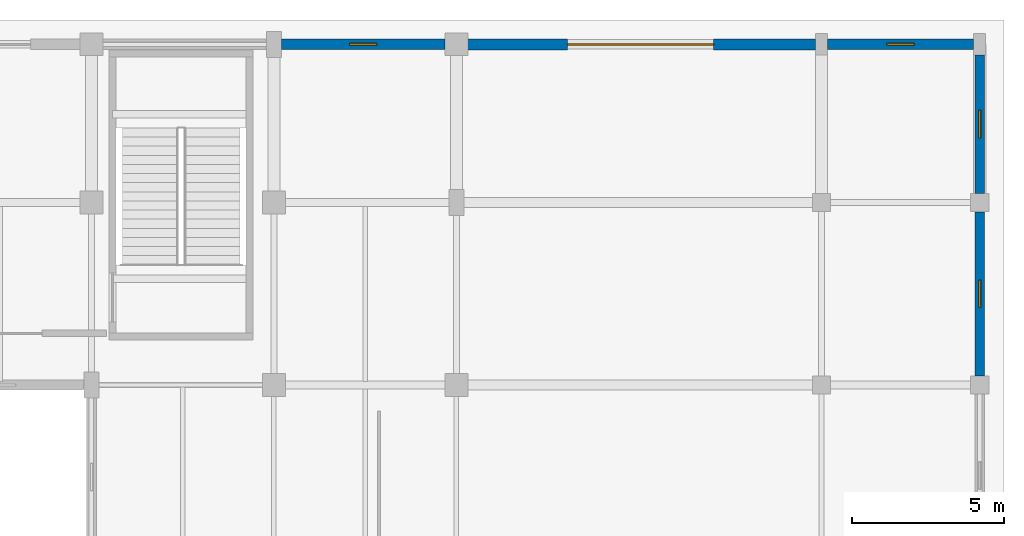
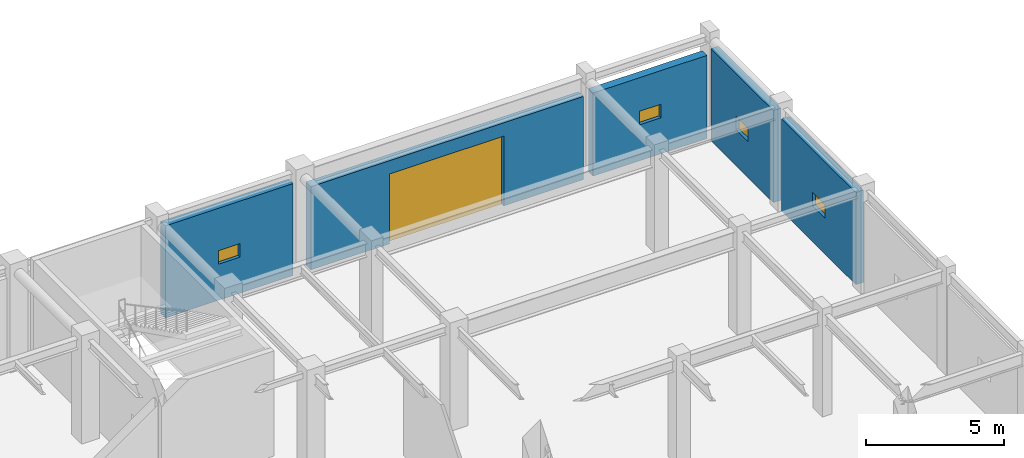
# One storey, part 53 of 76: 5 walls, 4 windows, 1 door, 5 openings.
"""IFC4 building model written with IfcOpenShell, lengths in metres."""

from ifc_helpers import new_model, si_unit, direction, frame, frame_2d, origin, place, context, subcontext, project, spatial, rectangle, extrude, material, layer, layer_set, type_object, element, fill, save


model = new_model("IFC4")

# Units and contexts
model_context = context("Model", 3, precision=1e-05, world=origin(), true_north=direction((0.0, 1.0)))
body_context = subcontext(model_context, "Body", "Model", "MODEL_VIEW")
ifc_project = project(units=[si_unit("LENGTHUNIT", "METRE"), si_unit("AREAUNIT", "SQUARE_METRE"), si_unit("VOLUMEUNIT", "CUBIC_METRE"), si_unit("PLANEANGLEUNIT", "RADIAN"), si_unit("MASSUNIT", "GRAM", prefix="KILO")], contexts=[model_context])

# Site, building, storey
site_placement = place(None, origin())
site = spatial("IfcSite", under=ifc_project, at=site_placement, CompositionType="ELEMENT")
building_placement = place(site_placement, origin())
building = spatial("IfcBuilding", under=site, at=building_placement, Name="Varnakota Square Police Headquarters", CompositionType="ELEMENT")
storey_placement = place(building_placement, origin())
storey = spatial("IfcBuildingStorey", under=building, at=storey_placement, Name="L00", CompositionType="ELEMENT", Elevation=0.0)

# Wall, opening, window
ifc_material_1 = material(Name="Precast concrete M40", Category="concrete")
ifc_layer_1 = layer(ifc_material_1, 0.320068359375, Name="Precast concrete M40")
ifc_layer_set_1 = layer_set([ifc_layer_1], Name="Precast concrete M40")
wall_type_1 = type_object("IfcWallType", Name="WL-EXT-320", PredefinedType="SOLIDWALL", material=ifc_layer_set_1)
wall_1_placement = place(storey_placement, frame((161.199951171875, 99.303955078125, 0.0), z_axis=(0.0, 0.0, 1.0), x_axis=(0.0, 1.0, 0.0)))
wall_1 = element("IfcWall", 1, at=wall_1_placement, inside=storey, type_object=wall_type_1, Name="Exterior wall EW-L00-0676", PredefinedType="SOLIDWALL", context=body_context, shape_type="SweptSolid", body=[
    extrude(rectangle(XDim=5.39208984375, YDim=0.320068359375, at=frame_2d((2.696044921875, 0.0))), origin(), (0.0, 0.0, 1.0), 4.08349609375),
])
opening_1_placement = place(wall_1_placement, frame((2.24609375, 0.0, 1.60009765625)))
opening_1 = element("IfcOpeningElement", 2, at=opening_1_placement, cuts=wall_1, Name="Opening W13", PredefinedType="OPENING", context=body_context, shape_type="SweptSolid", body=[
    extrude(rectangle(XDim=0.89990234375, YDim=0.60009765625, at=frame_2d((0.449951171875, 0.300048828125))), frame((0.0, 0.169921875, 0.0), z_axis=(0.0, -1.0, 0.0), x_axis=(1.0, 0.0, 0.0)), (0.0, 0.0, 1.0), 0.340087890625),
])
ifc_material_2 = material(Name="Thermally Broken Aluminium Double-Glazed Window", Category="aluminium")
window_type = type_object("IfcWindowType", Name="WIN-13", PartitioningType="SINGLE_PANEL", PredefinedType="WINDOW", material=ifc_material_2)
window_1_placement = place(opening_1_placement, origin())
window_1 = element("IfcWindow", 3, at=window_1_placement, inside=storey, type_object=window_type, Name="Window WN-L00-0182", OverallHeight=0.60009765625, OverallWidth=0.89990234375, PartitioningType="SINGLE_PANEL", PredefinedType="WINDOW", context=body_context, shape_type="SweptSolid", body=[
    extrude(rectangle(XDim=0.89990234375, YDim=0.60009765625, at=frame_2d((0.449951171875, 0.300048828125))), frame((0.0, 0.030029296875, 0.0), z_axis=(0.0, -1.0, 0.0), x_axis=(1.0, 0.0, 0.0)), (0.0, 0.0, 1.0), 0.06005859375),
])
fill(opening_1, window_1)

wall_2_placement = place(storey_placement, frame((161.199951171875, 105.303955078125, 0.0), z_axis=(0.0, 0.0, 1.0), x_axis=(0.0, 1.0, 0.0)))
wall_2 = element("IfcWall", 4, at=wall_2_placement, inside=storey, type_object=wall_type_1, Name="Exterior wall EW-L00-0677", PredefinedType="SOLIDWALL", context=body_context, shape_type="SweptSolid", body=[
    extrude(rectangle(XDim=4.5419921875, YDim=0.320068359375, at=frame_2d((2.27099609375, 0.0))), origin(), (0.0, 0.0, 1.0), 4.08349609375),
])
opening_2_placement = place(wall_2_placement, frame((1.821044921875, 0.0, 1.60009765625)))
opening_2 = element("IfcOpeningElement", 5, at=opening_2_placement, cuts=wall_2, Name="Opening W13", PredefinedType="OPENING", context=body_context, shape_type="SweptSolid", body=[
    extrude(rectangle(XDim=0.89990234375, YDim=0.60009765625, at=frame_2d((0.449951171875, 0.300048828125))), frame((0.0, 0.169921875, 0.0), z_axis=(0.0, -1.0, 0.0), x_axis=(1.0, 0.0, 0.0)), (0.0, 0.0, 1.0), 0.340087890625),
])
window_2_placement = place(opening_2_placement, origin())
window_2 = element("IfcWindow", 6, at=window_2_placement, inside=storey, type_object=window_type, Name="Window WN-L00-0183", OverallHeight=0.60009765625, OverallWidth=0.89990234375, PartitioningType="SINGLE_PANEL", PredefinedType="WINDOW", context=body_context, shape_type="SweptSolid", body=[
    extrude(rectangle(XDim=0.89990234375, YDim=0.60009765625, at=frame_2d((0.449951171875, 0.300048828125))), frame((0.0, 0.030029296875, 0.0), z_axis=(0.0, -1.0, 0.0), x_axis=(1.0, 0.0, 0.0)), (0.0, 0.0, 1.0), 0.06005859375),
])
fill(opening_2, window_2)

ifc_material_3 = material(Name="Concrete M40", Category="concrete")
ifc_layer_2 = layer(ifc_material_3, 0.340087890625, Name="Concrete M40")
ifc_layer_set_2 = layer_set([ifc_layer_2], Name="Concrete M40")
wall_type_2 = type_object("IfcWallType", Name="WL-EXT-340", PredefinedType="SOLIDWALL", material=ifc_layer_set_2)
wall_3_placement = place(storey_placement, frame((138.25390625, 110.199951171875, 0.0), z_axis=(0.0, 0.0, 1.0), x_axis=(1.0, 0.0, 0.0)))
wall_3 = element("IfcWall", 7, at=wall_3_placement, inside=storey, type_object=wall_type_2, Name="Exterior wall EW-L00-0658", PredefinedType="SOLIDWALL", context=body_context, shape_type="SweptSolid", body=[
    extrude(rectangle(XDim=5.3671875, YDim=0.340087890625, at=frame_2d((2.68359375, 0.0))), origin(), (0.0, 0.0, 1.0), 4.08349609375),
])
opening_3_placement = place(wall_3_placement, frame((2.2333984375, 0.0, 1.60009765625)))
opening_3 = element("IfcOpeningElement", 8, at=opening_3_placement, cuts=wall_3, Name="Opening W13", PredefinedType="OPENING", context=body_context, shape_type="SweptSolid", body=[
    extrude(rectangle(XDim=0.89990234375, YDim=0.60009765625, at=frame_2d((0.449951171875, 0.300048828125))), frame((0.0, 0.179931640625, 0.0), z_axis=(0.0, -1.0, 0.0), x_axis=(1.0, 0.0, 0.0)), (0.0, 0.0, 1.0), 0.360107421875),
])
window_3_placement = place(opening_3_placement, origin())
window_3 = element("IfcWindow", 9, at=window_3_placement, inside=storey, type_object=window_type, Name="Window WN-L00-0167", OverallHeight=0.60009765625, OverallWidth=0.89990234375, PartitioningType="SINGLE_PANEL", PredefinedType="WINDOW", context=body_context, shape_type="SweptSolid", body=[
    extrude(rectangle(XDim=0.89990234375, YDim=0.60009765625, at=frame_2d((0.449951171875, 0.300048828125))), frame((0.0, 0.030029296875, 0.0), z_axis=(0.0, -1.0, 0.0), x_axis=(1.0, 0.0, 0.0)), (0.0, 0.0, 1.0), 0.06005859375),
])
fill(opening_3, window_3)

wall_4_placement = place(storey_placement, frame((156.2041015625, 110.199951171875, 0.0), z_axis=(0.0, 0.0, 1.0), x_axis=(1.0, 0.0, 0.0)))
wall_4 = element("IfcWall", 10, at=wall_4_placement, inside=storey, type_object=wall_type_2, Name="Exterior wall EW-L00-0659", PredefinedType="SOLIDWALL", context=body_context, shape_type="SweptSolid", body=[
    extrude(rectangle(XDim=4.7919921875, YDim=0.340087890625, at=frame_2d((2.39599609375, 0.0))), origin(), (0.0, 0.0, 1.0), 3.68994140625),
])
opening_4_placement = place(wall_4_placement, frame((1.946044921875, 0.0, 1.60009765625)))
opening_4 = element("IfcOpeningElement", 11, at=opening_4_placement, cuts=wall_4, Name="Opening W13", PredefinedType="OPENING", context=body_context, shape_type="SweptSolid", body=[
    extrude(rectangle(XDim=0.89990234375, YDim=0.60009765625, at=frame_2d((0.449951171875, 0.300048828125))), frame((0.0, 0.179931640625, 0.0), z_axis=(0.0, -1.0, 0.0), x_axis=(1.0, 0.0, 0.0)), (0.0, 0.0, 1.0), 0.360107421875),
])
window_4_placement = place(opening_4_placement, origin())
window_4 = element("IfcWindow", 12, at=window_4_placement, inside=storey, type_object=window_type, Name="Window WN-L00-0168", OverallHeight=0.60009765625, OverallWidth=0.89990234375, PartitioningType="SINGLE_PANEL", PredefinedType="WINDOW", context=body_context, shape_type="SweptSolid", body=[
    extrude(rectangle(XDim=0.89990234375, YDim=0.60009765625, at=frame_2d((0.449951171875, 0.300048828125))), frame((0.0, 0.030029296875, 0.0), z_axis=(0.0, -1.0, 0.0), x_axis=(1.0, 0.0, 0.0)), (0.0, 0.0, 1.0), 0.06005859375),
])
fill(opening_4, window_4)

# Wall, opening, door
ifc_layer_3 = layer(ifc_material_3, 0.360107421875, Name="Concrete M40")
ifc_layer_set_3 = layer_set([ifc_layer_3], Name="Concrete M40")
wall_type_3 = type_object("IfcWallType", Name="WL-EXT-360", PredefinedType="SOLIDWALL", material=ifc_layer_set_3)
wall_5_placement = place(storey_placement, frame((144.35400390625, 110.199951171875, 0.0), z_axis=(0.0, 0.0, 1.0), x_axis=(1.0, 0.0, 0.0)))
wall_5 = element("IfcWall", 13, at=wall_5_placement, inside=storey, type_object=wall_type_3, Name="Sallyport north security portal wall", PredefinedType="SOLIDWALL", context=body_context, shape_type="SweptSolid", body=[
    extrude(rectangle(XDim=11.44189453125, YDim=0.360107421875, at=frame_2d((5.720947265625, 0.0))), origin(), (0.0, 0.0, 1.0), 3.68994140625),
])
opening_5_placement = place(wall_5_placement, frame((3.300048828125, 0.0, 0.0)))
opening_5 = element("IfcOpeningElement", 14, at=opening_5_placement, cuts=wall_5, Name="Opening VG2", PredefinedType="OPENING", context=body_context, shape_type="SweptSolid", body=[
    extrude(rectangle(XDim=4.800048828125, YDim=3.10009765625, at=frame_2d((2.39990234375, 1.550048828125))), frame((0.0, 0.18994140625, 0.0), z_axis=(0.0, -1.0, 0.0), x_axis=(1.0, 0.0, 0.0)), (0.0, 0.0, 1.0), 0.380126953125),
])
ifc_material_4 = material(Name="Galvanised Steel Sallyport Roller Shutter", Category="steel")
door_type = type_object("IfcDoorType", Name="DR-GATE-VG480", OperationType="NOTDEFINED", PredefinedType="GATE", material=ifc_material_4)
door_placement = place(opening_5_placement, origin())
door = element("IfcDoor", 15, at=door_placement, inside=storey, type_object=door_type, Name="Sallyport vehicular security roller shutter gate VG2", OperationType="ROLLINGUP", OverallHeight=3.10009765625, OverallWidth=4.800048828125, PredefinedType="GATE", context=body_context, shape_type="SweptSolid", body=[
    extrude(rectangle(XDim=4.800048828125, YDim=3.10009765625, at=frame_2d((2.39990234375, 1.550048828125))), frame((0.0, 0.02490234375, 0.0), z_axis=(0.0, -1.0, 0.0), x_axis=(1.0, 0.0, 0.0)), (0.0, 0.0, 1.0), 0.050048828125),
])
fill(opening_5, door)

save(model, "model.ifc")
